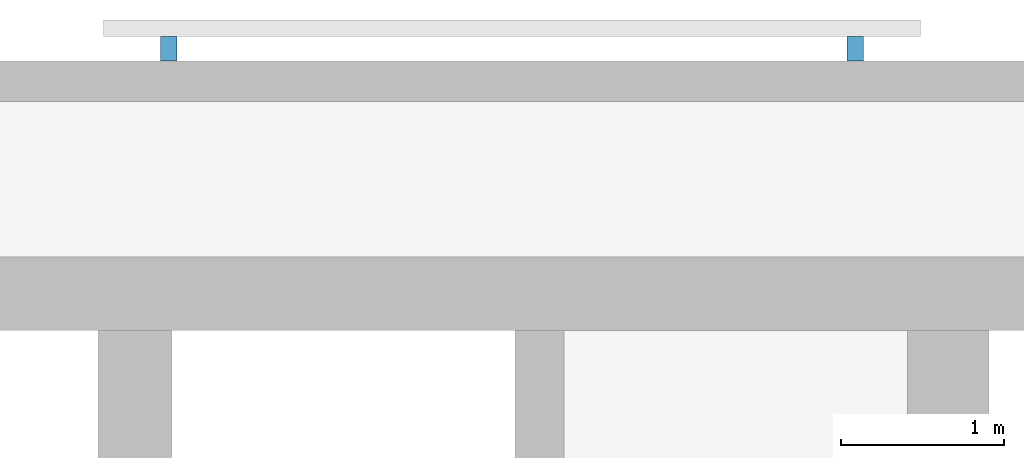
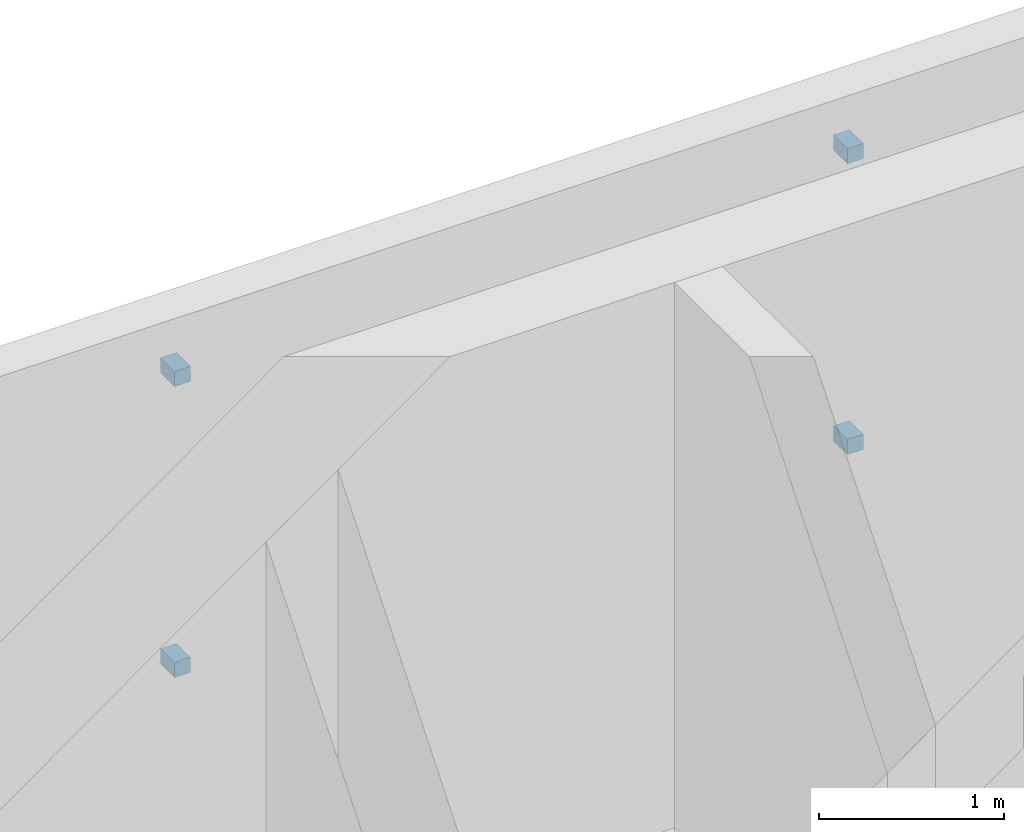
# One storey, part 12 of 15: 4 discrete accessories.
"""IFC4 building model written with IfcOpenShell, lengths in metres."""

from ifc_helpers import new_model, si_unit, direction, frame, origin, origin_2d, place, context, subcontext, project, spatial, rectangle, extrude, material, type_object, element, save


model = new_model("IFC4")

# Units and contexts
model_context = context("Model", 3, precision=1e-05, world=origin(), true_north=direction((0.0, 1.0)))
body_context = subcontext(model_context, "Body", "Model", "MODEL_VIEW")
ifc_project = project(units=[si_unit("LENGTHUNIT", "METRE"), si_unit("AREAUNIT", "SQUARE_METRE"), si_unit("VOLUMEUNIT", "CUBIC_METRE"), si_unit("PLANEANGLEUNIT", "RADIAN"), si_unit("MASSUNIT", "GRAM", prefix="KILO")], contexts=[model_context])

# Site, building, storey
site_placement = place(None, origin())
site = spatial("IfcSite", under=ifc_project, at=site_placement, CompositionType="ELEMENT")
building_placement = place(site_placement, origin())
building = spatial("IfcBuilding", under=site, at=building_placement, Name="Torana Hotel and Residences", CompositionType="ELEMENT")
storey_placement = place(building_placement, frame((0.0, 0.0, 49.199951171875)))
storey = spatial("IfcBuildingStorey", under=building, at=storey_placement, Name="L11", CompositionType="ELEMENT", Elevation=49.199951171875)

# Discrete accessories
ifc_material = material(Name="Steel S355", Category="steel")
discrete_accessory_type = type_object("IfcDiscreteAccessoryType", Name="SCREEN BRACKET 100", PredefinedType="BRACKET", material=ifc_material)
for number, where, z_axis, x_axis, name in (
    (1, (23.681396484375, 1.27490234375, 0.75), (0.0, 0.0, 1.0), (-1.0, 0.0, 0.0), "Screen bracket L11"),
    (2, (23.681396484375, 1.27490234375, 2.669921875), (0.0, 0.0, 1.0), (-1.0, 0.0, 0.0), "Screen bracket L11"),
    (3, (19.4814453125, 1.27490234375, 0.75), (0.0, 0.0, 1.0), (-1.0, 0.0, 0.0), "Screen bracket L11"),
    (4, (19.4814453125, 1.27490234375, 2.669921875), (0.0, 0.0, 1.0), (-1.0, 0.0, 0.0), "Screen bracket L11"),
):
    element("IfcDiscreteAccessory", number, at=place(storey_placement, frame(where, z_axis=z_axis, x_axis=x_axis)), inside=storey, type_object=discrete_accessory_type, Name=name, PredefinedType="BRACKET", context=body_context, shape_type="SweptSolid", body=[
        extrude(rectangle(XDim=0.10009765625, YDim=0.14990234375, at=origin_2d()), origin(), (0.0, 0.0, 1.0), 0.10009765625),
    ])

save(model, "model.ifc")
